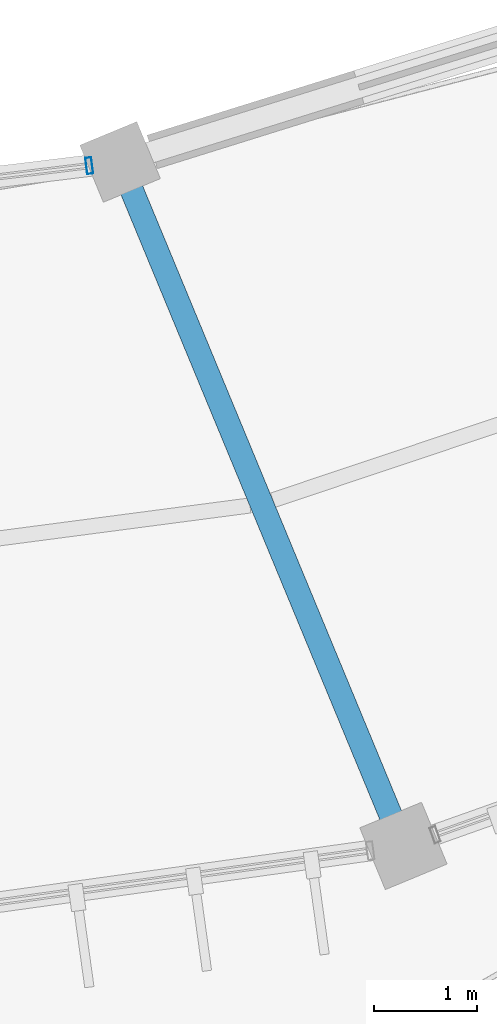
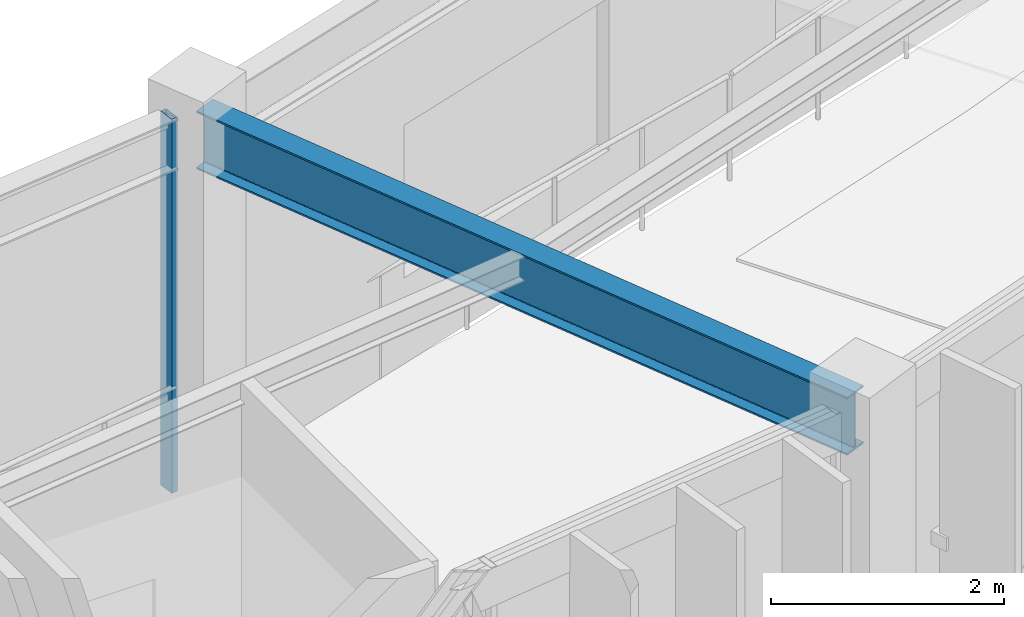
# One storey, part 50 of 114: 1 beam, 1 member, 1 element without a shape of its own.
"""IFC4 building model written with IfcOpenShell, lengths in metres."""

from ifc_helpers import new_model, si_unit, direction, frame, origin, origin_2d, place, context, subcontext, project, spatial, hollow_rectangle, i_section, extrude, material, material_profile, profile_set, type_object, element, aggregate, save


model = new_model("IFC4")

# Units and contexts
model_context = context("Model", 3, precision=1e-05, world=origin(), true_north=direction((0.0, 1.0)))
body_context = subcontext(model_context, "Body", "Model", "MODEL_VIEW")
ifc_project = project(units=[si_unit("LENGTHUNIT", "METRE"), si_unit("AREAUNIT", "SQUARE_METRE"), si_unit("VOLUMEUNIT", "CUBIC_METRE"), si_unit("PLANEANGLEUNIT", "RADIAN"), si_unit("MASSUNIT", "GRAM", prefix="KILO"), si_unit("THERMODYNAMICTEMPERATUREUNIT", "KELVIN"), si_unit("POWERUNIT", "WATT")], contexts=[model_context])

# Site, building, storey
site_placement = place(None, origin())
site = spatial("IfcSite", under=ifc_project, at=site_placement, CompositionType="ELEMENT")
building_placement = place(site_placement, origin())
building = spatial("IfcBuilding", under=site, at=building_placement, Name="Darbajah Civic Hall", CompositionType="ELEMENT")
storey_placement = place(building_placement, frame((0.0, 0.0, 13.800048828125)))
storey = spatial("IfcBuildingStorey", under=building, at=storey_placement, Name="L03", CompositionType="ELEMENT", Elevation=13.800048828125)

# Curtain wall, member
ifc_material_1 = material(Name="Anodised Bronze Aluminium and Low-E Glazing", Category="aluminium")
curtain_wall_type = type_object("IfcCurtainWallType", Name="Unitised Curtain Wall CW-50 12800x3900", PredefinedType="USERDEFINED", material=ifc_material_1)
curtain_wall_placement = place(storey_placement, origin())
curtain_wall = element("IfcCurtainWall", 1, at=curtain_wall_placement, inside=storey, type_object=curtain_wall_type, Name="L03 unitised curtain wall CW-V1I-L03-15", ObjectType="UNITISED CURTAIN WALL", PredefinedType="USERDEFINED")
ifc_material_2 = material(Name="Anodised Bronze Aluminium", Category="aluminium")
ifc_material_profile_1 = material_profile(ifc_material_2, hollow_rectangle(XDim=0.06005859375, YDim=0.159912109375, WallThickness=0.00341796875, at=origin_2d()), Name="ALU MULLION 60x160")
ifc_profile_set_1 = profile_set([ifc_material_profile_1], Name="Anodised Bronze Aluminium")
member_type = type_object("IfcMemberType", Name="ALU MULLION 60x160", PredefinedType="MULLION", material=ifc_profile_set_1)
member_placement = place(storey_placement, frame((105.561767578125, 69.160888671875, 0.0), z_axis=(0.0, 0.0, 1.0), x_axis=(0.992609826221, 0.121349630774, 0.0)))
member = element("IfcMember", 2, at=member_placement, type_object=member_type, Name="CW-V1I-L03-15 mullion 4", PredefinedType="MULLION", context=body_context, shape_type="SweptSolid", body=[
    extrude(hollow_rectangle(XDim=0.06005859375, YDim=0.159912109375, WallThickness=0.00341796875, at=origin_2d()), origin(), (0.0, 0.0, 1.0), 3.919921875),
])
aggregate(curtain_wall, [member])

# Beam
ifc_material_3 = material(Name="Steel S355JR", Category="steel")
ifc_material_profile_2 = material_profile(ifc_material_3, i_section(OverallWidth=0.228271484375, OverallDepth=0.607666015625, WebThickness=0.010986328125, FlangeThickness=0.017333984375, FilletRadius=0.0126953125, at=origin_2d()), Name="UB 610x229x113")
ifc_profile_set_2 = profile_set([ifc_material_profile_2], Name="Steel S355JR")
beam_type = type_object("IfcBeamType", Name="UB 610x229x113", PredefinedType="BEAM", material=ifc_profile_set_2)
beam_placement = place(storey_placement, frame((105.89208984375, 69.12353515625, 3.6162109375), z_axis=(0.382681552297, -0.923880311259, 0.0), x_axis=(0.923880311259, 0.382681552297, 0.0)))
element("IfcBeam", 3, at=beam_placement, inside=storey, type_object=beam_type, Name="L03 beam SB-610", PredefinedType="BEAM", context=body_context, shape_type="SweptSolid", body=[
    extrude(i_section(OverallWidth=0.228271484375, OverallDepth=0.607666015625, WebThickness=0.010986328125, FlangeThickness=0.017333984375, FilletRadius=0.0126953125, at=origin_2d()), origin(), (0.0, 0.0, 1.0), 7.0400390625),
])

save(model, "model.ifc")
